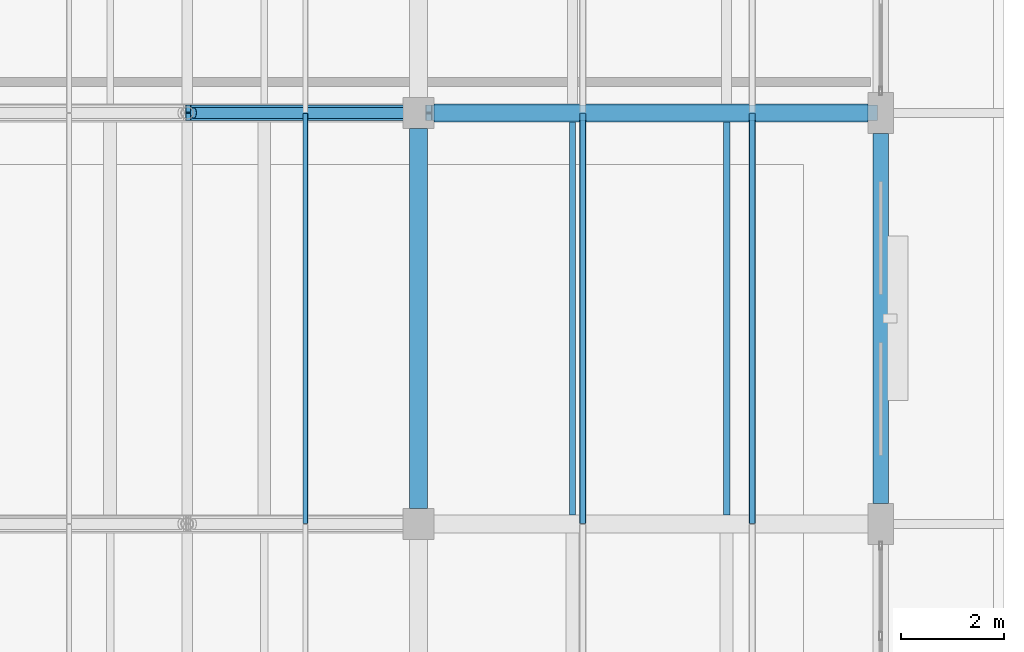
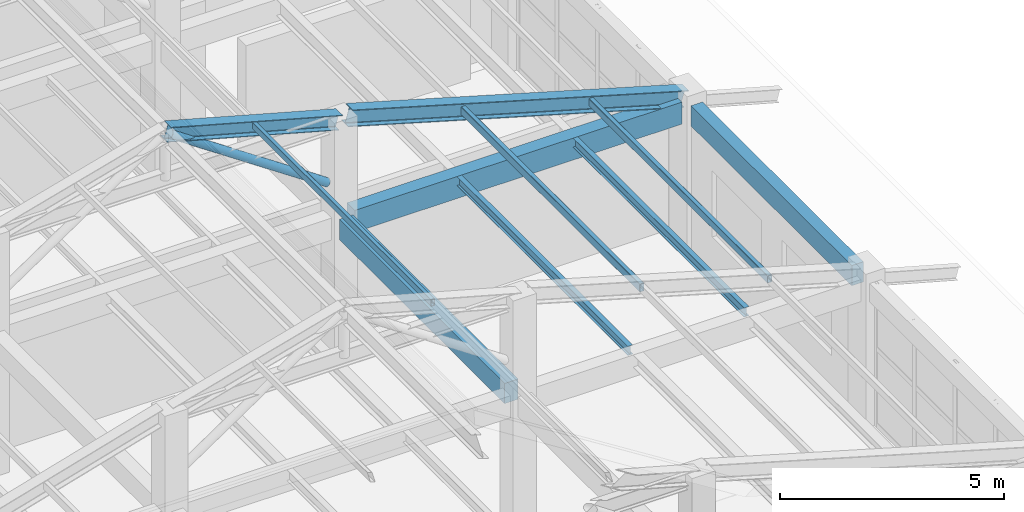
# One storey, part 32 of 58: 7 beams, 4 members.
"""IFC4 building model written with IfcOpenShell, lengths in metres."""

import ifcopenshell
import ifcopenshell.guid

model = None  # the IFC model being written
_history = None  # IfcOwnerHistory: only IFC2X3 demands one
_inside = {}  # id of a spatial element -> (the spatial element, [elements in it])
_under = {}  # id of a project, library or spatial element -> (it, [spatial elements below it])
_declared = {}  # id of a project -> (the project, [libraries it declares])
_typed = {}  # id of a type object -> (the type object, [elements of that type])
_made_of = {}  # id of a material, layer set ... -> (it, [elements and type objects made of it])


def new_model(schema):
    """Start an empty IFC model of exactly this schema.

    Asked for "IFC4X3", IfcOpenShell would pick the latest addendum, in which some entities
    have other attributes; the version numbers below select the first issue.
    IFC2X3 requires an IfcOwnerHistory on every rooted entity: one is made here for all.
    """
    global model, _history
    if schema == "IFC4X3":
        model = ifcopenshell.file(schema_version=(4, 3, 0, 0))
    else:
        model = ifcopenshell.file(schema=schema)
    _inside.clear()
    _under.clear()
    _declared.clear()
    _typed.clear()
    _made_of.clear()
    _history = None
    if model.schema == "IFC2X3":
        org = make("IfcOrganization", Name="unknown")
        user = make(
            "IfcPersonAndOrganization",
            ThePerson=make("IfcPerson", FamilyName="unknown"),
            TheOrganization=org,
        )
        app = make(
            "IfcApplication",
            ApplicationDeveloper=org,
            Version="unknown",
            ApplicationFullName="unknown",
            ApplicationIdentifier="unknown",
        )
        _history = make(
            "IfcOwnerHistory",
            OwningUser=user,
            OwningApplication=app,
            ChangeAction="ADDED",
            CreationDate=0,
        )
    return model


def make(cls, **values):
    """One entity of the class cls with the attributes given. An attribute that is None is left unset."""
    return model.create_entity(
        cls, **{name: value for name, value in values.items() if value is not None}
    )


def rooted(cls, **values):
    """An entity with a GlobalId (a new one), such as an element, a storey or a relation."""
    return make(cls, GlobalId=ifcopenshell.guid.new(), OwnerHistory=_history, **values)


def si_unit(unit_type, name, prefix=None):
    """IfcSIUnit, for example si_unit("LENGTHUNIT", "METRE", prefix="MILLI")."""
    return make("IfcSIUnit", UnitType=unit_type, Prefix=prefix, Name=name)


def derived_unit(unit_type, elements):
    """IfcDerivedUnit: a product of units, each with its exponent."""
    return make(
        "IfcDerivedUnit",
        Elements=[
            make("IfcDerivedUnitElement", Unit=unit, Exponent=power)
            for unit, power in elements
        ],
        UnitType=unit_type,
    )


def assignment(units):
    """IfcUnitAssignment: the units of a project."""
    return None if units is None else make("IfcUnitAssignment", Units=units)


def point(xyz):
    """IfcCartesianPoint."""
    return None if xyz is None else make("IfcCartesianPoint", Coordinates=xyz)


def direction(xyz):
    """IfcDirection."""
    return None if xyz is None else make("IfcDirection", DirectionRatios=xyz)


def frame(location, z_axis=None, x_axis=None):
    """IfcAxis2Placement3D, a coordinate frame: its origin and axes. An axis left out is left unset."""
    return make(
        "IfcAxis2Placement3D",
        Location=point(location),
        Axis=direction(z_axis),
        RefDirection=direction(x_axis),
    )


def frame_2d(location, x_axis=None):
    """IfcAxis2Placement2D, a coordinate frame in the plane: its origin and x axis."""
    return make(
        "IfcAxis2Placement2D", Location=point(location), RefDirection=direction(x_axis)
    )


def origin():
    """The frame at (0, 0, 0) with its axes left unset."""
    return frame((0.0, 0.0, 0.0))


def origin_2d():
    """The frame at (0, 0) in the plane with its x axis left unset."""
    return frame_2d((0.0, 0.0))


def place(relative_to, where):
    """IfcLocalPlacement: puts the frame where relative to a parent placement (None: the world)."""
    return make(
        "IfcLocalPlacement", PlacementRelTo=relative_to, RelativePlacement=where
    )


def context(
    kind, dimensions, precision=None, world=None, true_north=None, identifier=None
):
    """IfcGeometricRepresentationContext, for example the 3D "Model" context."""
    return make(
        "IfcGeometricRepresentationContext",
        ContextIdentifier=identifier,
        ContextType=kind,
        CoordinateSpaceDimension=dimensions,
        Precision=precision,
        WorldCoordinateSystem=world,
        TrueNorth=true_north,
    )


def subcontext(parent, identifier, kind, view, scale=None):
    """IfcGeometricRepresentationSubContext, for example "Body" below "Model"."""
    return make(
        "IfcGeometricRepresentationSubContext",
        ContextIdentifier=identifier,
        ContextType=kind,
        ParentContext=parent,
        TargetScale=scale,
        TargetView=view,
    )


def project(units=None, contexts=None):
    """IfcProject with its units and contexts."""
    return rooted(
        "IfcProject",
        Name="project",
        RepresentationContexts=contexts,
        UnitsInContext=assignment(units),
    )


def spatial(cls, under=None, at=None, **own):
    """A site, building, storey or space (cls), placed at a placement, below another one or the project."""
    s = rooted(cls, ObjectPlacement=at, **own)
    if under is not None:
        _under.setdefault(under.id(), (under, []))[1].append(s)
    return s


def profile(cls, at=None, kind="AREA", **sizes):
    """A parametric profile (cls). Its sizes go by their IFC names, for example OverallWidth=200.0."""
    return make(cls, ProfileType=kind, Position=at, **sizes)


def rectangle(**sizes):
    """IfcRectangleProfileDef."""
    return profile("IfcRectangleProfileDef", **sizes)


def hollow_rectangle(**sizes):
    """IfcRectangleHollowProfileDef."""
    return profile("IfcRectangleHollowProfileDef", **sizes)


def hollow_circle(**sizes):
    """IfcCircleHollowProfileDef."""
    return profile("IfcCircleHollowProfileDef", **sizes)


def i_section(**sizes):
    """IfcIShapeProfileDef."""
    return profile("IfcIShapeProfileDef", **sizes)


def extrude(swept, where, along, depth):
    """IfcExtrudedAreaSolid: the profile swept, set in the frame where, extruded along a direction by depth."""
    return make(
        "IfcExtrudedAreaSolid",
        SweptArea=swept,
        Position=where,
        ExtrudedDirection=direction(along),
        Depth=depth,
    )


def shape(context_of_items, identifier, shape_type, items):
    """IfcShapeRepresentation: the items that make up one representation, for example the "Body"."""
    return make(
        "IfcShapeRepresentation",
        ContextOfItems=context_of_items,
        RepresentationIdentifier=identifier,
        RepresentationType=shape_type,
        Items=items,
    )


def material(Name=None, Category=None):
    """IfcMaterial."""
    return make("IfcMaterial", Name=Name, Category=Category)


def material_profile(
    of_material, cross_section, Name=None, Category=None, Priority=None
):
    """IfcMaterialProfile: a cross section and its material."""
    return make(
        "IfcMaterialProfile",
        Name=Name,
        Material=of_material,
        Profile=cross_section,
        Priority=Priority,
        Category=Category,
    )


def profile_set(profiles, Name=None, composite=None):
    """IfcMaterialProfileSet."""
    return make(
        "IfcMaterialProfileSet",
        Name=Name,
        MaterialProfiles=profiles,
        CompositeProfile=composite,
    )


def made_of(thing, what):
    """Note that an element or type object is made of a material, layer set ...; save() writes the relation."""
    if what is not None:
        _made_of.setdefault(what.id(), (what, []))[1].append(thing)
    return thing


def type_object(cls, material=None, **own):
    """A type object (cls), such as IfcWallType, which elements share."""
    return made_of(rooted(cls, **own), material)


def element(
    cls,
    number,
    at=None,
    inside=None,
    cuts=None,
    type_object=None,
    material=None,
    context=None,
    identifier="Body",
    shape_type=None,
    held_by="IfcProductDefinitionShape",
    body=None,
    shapes=None,
    **own,
):
    """One element of the class cls, such as IfcWall. Its Tag is "e" and its number.

    at: its placement. inside: the storey or other place that contains it. cuts: it is an
    opening in that element (IfcRelVoidsElement). A single representation is given by context,
    identifier, shape_type and body (its items); several are given by shapes. held_by: the class
    of the entity that holds the representations. save() writes the other relations.
    """
    e = rooted(cls, Tag="e%d" % number, ObjectPlacement=at, **own)
    if body is not None:
        shapes = [shape(context, identifier, shape_type, body)]
    if shapes is not None:
        e.Representation = make(held_by, Representations=shapes)
    if inside is not None:
        _inside.setdefault(inside.id(), (inside, []))[1].append(e)
    if cuts is not None:
        rooted(
            "IfcRelVoidsElement", RelatingBuildingElement=cuts, RelatedOpeningElement=e
        )
    if type_object is not None:
        _typed.setdefault(type_object.id(), (type_object, []))[1].append(e)
    return made_of(e, material)


def aggregate(whole, parts):
    """IfcRelAggregates: a whole, such as a stair, and the parts it consists of."""
    return rooted("IfcRelAggregates", RelatingObject=whole, RelatedObjects=parts)


def save(model, path):
    """Write the relations noted so far, then the file.

    IfcRelAggregates (storeys below a building ...), IfcRelContainedInSpatialStructure (elements
    in a storey), IfcRelDefinesByType, IfcRelAssociatesMaterial and IfcRelDeclares: one each for
    every whole, place, type object, material and project.
    """
    for whole, parts in _under.values():
        aggregate(whole, parts)
    for where, things in _inside.values():
        rooted(
            "IfcRelContainedInSpatialStructure",
            RelatedElements=things,
            RelatingStructure=where,
        )
    for kind, things in _typed.values():
        rooted("IfcRelDefinesByType", RelatedObjects=things, RelatingType=kind)
    for what, things in _made_of.values():
        rooted("IfcRelAssociatesMaterial", RelatedObjects=things, RelatingMaterial=what)
    for by, libraries in _declared.values():
        rooted("IfcRelDeclares", RelatingContext=by, RelatedDefinitions=libraries)
    model.write(path)


model = new_model("IFC4")

# Units and contexts
model_context = context("Model", 3, precision=1e-05, world=origin(), true_north=direction((0.0, 1.0)))
body_context = subcontext(model_context, "Body", "Model", "MODEL_VIEW")
ifc_project = project(units=[si_unit("LENGTHUNIT", "METRE"), si_unit("AREAUNIT", "SQUARE_METRE"), si_unit("VOLUMEUNIT", "CUBIC_METRE"), si_unit("PLANEANGLEUNIT", "RADIAN"), si_unit("MASSUNIT", "GRAM", prefix="KILO"), derived_unit("THERMALTRANSMITTANCEUNIT", [(si_unit("MASSUNIT", "GRAM", prefix="KILO"), 1), (si_unit("TIMEUNIT", "SECOND"), -3), (si_unit("THERMODYNAMICTEMPERATUREUNIT", "KELVIN"), -1)])], contexts=[model_context])

# Site, building, storey
site_placement = place(None, origin())
site = spatial("IfcSite", under=ifc_project, at=site_placement, CompositionType="ELEMENT")
building_placement = place(site_placement, origin())
building = spatial("IfcBuilding", under=site, at=building_placement, Name="Zhenchuan Archway Interchange", CompositionType="ELEMENT")
storey_placement = place(building_placement, frame((0.0, 0.0, 22.800048828125)))
storey = spatial("IfcBuildingStorey", under=building, at=storey_placement, Name="L05", CompositionType="ELEMENT", Elevation=22.800048828125)

# Beams
ifc_material_1 = material(Name="Concrete C40", Category="concrete")
ifc_material_profile_1 = material_profile(ifc_material_1, rectangle(XDim=0.35009765625, YDim=0.550048828125, at=origin_2d()), Name="RC 350x550")
ifc_profile_set_1 = profile_set([ifc_material_profile_1], Name="Concrete C40")
beam_type_1 = type_object("IfcBeamType", Name="BM_RC_350x550", PredefinedType="BEAM", material=ifc_profile_set_1)
beam_1_placement = place(storey_placement, frame((162.0, 32.300048828125, 3.64501953125), z_axis=(0.0, 1.0, 0.0), x_axis=(-1.0, 0.0, 0.0)))
element("IfcBeam", 1, at=beam_1_placement, inside=storey, type_object=beam_type_1, Name="Beam 19:E-F (L05)", PredefinedType="BEAM", context=body_context, shape_type="SweptSolid", body=[
    extrude(rectangle(XDim=0.35009765625, YDim=0.550048828125, at=origin_2d()), origin(), (0.0, 0.0, 1.0), 7.39990234375),
])
ifc_material_profile_2 = material_profile(ifc_material_1, rectangle(XDim=0.35009765625, YDim=0.60009765625, at=origin_2d()), Name="RC 350x600")
ifc_profile_set_2 = profile_set([ifc_material_profile_2], Name="Concrete C40")
beam_type_2 = type_object("IfcBeamType", Name="BM_RC_350x600", PredefinedType="BEAM", material=ifc_profile_set_2)
beam_2_placement = place(storey_placement, frame((162.300048828125, 40.0, 3.619873046875), z_axis=(1.0, 0.0, 0.0), x_axis=(0.0, 1.0, 0.0)))
element("IfcBeam", 2, at=beam_2_placement, inside=storey, type_object=beam_type_2, Name="Beam F:19-20 (L05)", PredefinedType="BEAM", context=body_context, shape_type="SweptSolid", body=[
    extrude(rectangle(XDim=0.35009765625, YDim=0.60009765625, at=origin_2d()), origin(), (0.0, 0.0, 1.0), 8.449951171875),
])
ifc_material_2 = material(Name="Steel Q355", Category="steel")
ifc_material_profile_3 = material_profile(ifc_material_2, i_section(OverallWidth=0.300048828125, OverallDepth=0.389892578125, WebThickness=0.010009765625, FlangeThickness=0.01611328125, FilletRadius=0.02001953125, at=origin_2d()), Name="HM 390x300")
ifc_profile_set_3 = profile_set([ifc_material_profile_3], Name="Steel Q355")
beam_type_3 = type_object("IfcBeamType", Name="BM_STL_HM390", PredefinedType="BEAM", material=ifc_profile_set_3)
beam_3_placement = place(storey_placement, frame((157.52001953125, 40.0, 7.639892578125), z_axis=(0.964108539649, 0.0, -0.265508425055), x_axis=(0.0, 1.0, 0.0)))
element("IfcBeam", 3, at=beam_3_placement, inside=storey, type_object=beam_type_3, Name="ROOF TRUSS command wing T3 east apex rafter", PredefinedType="BEAM", context=body_context, shape_type="SweptSolid", body=[
    extrude(i_section(OverallWidth=0.300048828125, OverallDepth=0.389892578125, WebThickness=0.010009765625, FlangeThickness=0.01611328125, FilletRadius=0.02001953125, at=origin_2d()), origin(), (0.0, 0.0, 1.0), 4.5947265625),
])
ifc_material_profile_4 = material_profile(ifc_material_2, i_section(OverallWidth=0.300048828125, OverallDepth=0.43994140625, WebThickness=0.010986328125, FlangeThickness=0.01806640625, FilletRadius=0.02197265625, at=origin_2d()), Name="HM 440x300")
ifc_profile_set_4 = profile_set([ifc_material_profile_4], Name="Steel Q355")
beam_type_4 = type_object("IfcBeamType", Name="BM_STL_HM440", PredefinedType="BEAM", material=ifc_profile_set_4)
beam_4_placement = place(storey_placement, frame((162.199951171875, 40.0, 6.449951171875), z_axis=(0.960641143949, 0.0, -0.277792355102), x_axis=(0.0, 1.0, 0.0)))
element("IfcBeam", 4, at=beam_4_placement, inside=storey, type_object=beam_type_4, Name="ROOF TRUSS command wing T3 east lower rafter", PredefinedType="BEAM", context=body_context, shape_type="SweptSolid", body=[
    extrude(i_section(OverallWidth=0.300048828125, OverallDepth=0.43994140625, WebThickness=0.010986328125, FlangeThickness=0.01806640625, FilletRadius=0.02197265625, at=origin_2d()), origin(), (0.0, 0.0, 1.0), 9.03564453125),
])
ifc_material_profile_5 = material_profile(ifc_material_2, i_section(OverallWidth=0.125, OverallDepth=0.25, WebThickness=0.006103515625, FlangeThickness=0.009033203125, FilletRadius=0.011962890625, at=origin_2d()), Name="HN 250x125")
ifc_profile_set_5 = profile_set([ifc_material_profile_5], Name="Steel Q355")
beam_type_5 = type_object("IfcBeamType", Name="JST_STL_HN250", PredefinedType="JOIST", material=ifc_profile_set_5)
for number, where, z_axis, x_axis, name in (
    (5, (165.0, 32.175048828125, 3.794921875), (0.0, 1.0, 0.0), (-1.0, 0.0, 0.0), "Secondary joist 19-20/E-F #1 (L05)"),
    (6, (168.0, 32.175048828125, 3.794921875), (0.0, 1.0, 0.0), (-1.0, 0.0, 0.0), "Secondary joist 19-20/E-F #2 (L05)"),
):
    element("IfcBeam", number, at=place(storey_placement, frame(where, z_axis=z_axis, x_axis=x_axis)), inside=storey, type_object=beam_type_5, Name=name, PredefinedType="JOIST", context=body_context, shape_type="SweptSolid", body=[
        extrude(i_section(OverallWidth=0.125, OverallDepth=0.25, WebThickness=0.006103515625, FlangeThickness=0.009033203125, FilletRadius=0.011962890625, at=origin_2d()), origin(), (0.0, 0.0, 1.0), 7.64990234375),
    ])

# Members
ifc_material_profile_6 = material_profile(ifc_material_2, hollow_circle(Radius=0.109619140625, WallThickness=0.008056640625, at=origin_2d()), Name="CHS 219x8")
ifc_profile_set_6 = profile_set([ifc_material_profile_6], Name="Steel Q355")
member_type_1 = type_object("IfcMemberType", Name="MB_CHS219", PredefinedType="BRACE", material=ifc_profile_set_6)
member_1_placement = place(storey_placement, frame((161.679931640625, 40.0, 4.800048828125), z_axis=(-0.827937334182, 0.0, 0.560820622541), x_axis=(0.0, -1.0, 0.0)))
element("IfcMember", 7, at=member_1_placement, inside=storey, type_object=member_type_1, Name="ROOF TRUSS command wing T3 east apex diagonal", PredefinedType="BRACE", context=body_context, shape_type="SweptSolid", body=[
    extrude(hollow_circle(Radius=0.109619140625, WallThickness=0.008056640625, at=origin_2d()), origin(), (0.0, 0.0, 1.0), 4.903564453125),
])
ifc_material_profile_7 = material_profile(ifc_material_2, hollow_rectangle(XDim=0.10009765625, YDim=0.179931640625, WallThickness=0.006103515625, InnerFilletRadius=0.006103515625, OuterFilletRadius=0.011962890625, at=origin_2d()), Name="RHS 180x100x6")
ifc_profile_set_7 = profile_set([ifc_material_profile_7], Name="Steel Q355")
member_type_2 = type_object("IfcMemberType", Name="MB_RHS180", PredefinedType="PURLIN", material=ifc_profile_set_7)
member_2_placement = place(storey_placement, frame((159.800048828125, 32.008056640625, 7.02001953125), z_axis=(0.0, 1.0, 0.0), x_axis=(-1.0, 0.0, 0.0)))
element("IfcMember", 8, at=member_2_placement, inside=storey, type_object=member_type_2, Name="Command wing roof purlin B2-P4", PredefinedType="PURLIN", context=body_context, shape_type="SweptSolid", body=[
    extrude(hollow_rectangle(XDim=0.10009765625, YDim=0.179931640625, WallThickness=0.006103515625, InnerFilletRadius=0.006103515625, OuterFilletRadius=0.011962890625, at=origin_2d()), origin(), (0.0, 0.0, 1.0), 7.98388671875),
])
ifc_material_profile_8 = material_profile(ifc_material_2, hollow_rectangle(XDim=0.1201171875, YDim=0.199951171875, WallThickness=0.008056640625, InnerFilletRadius=0.008056640625, OuterFilletRadius=0.01611328125, at=origin_2d()), Name="RHS 200x120x8")
ifc_profile_set_8 = profile_set([ifc_material_profile_8], Name="Steel Q355")
member_type_3 = type_object("IfcMemberType", Name="MB_RHS200", PredefinedType="PURLIN", material=ifc_profile_set_8)
member_3_placement = place(storey_placement, frame((168.5, 32.008056640625, 4.619873046875), z_axis=(0.0, 1.0, 0.0), x_axis=(-1.0, 0.0, 0.0)))
element("IfcMember", 9, at=member_3_placement, inside=storey, type_object=member_type_3, Name="Command wing roof purlin B2-P6", PredefinedType="PURLIN", context=body_context, shape_type="SweptSolid", body=[
    extrude(hollow_rectangle(XDim=0.1201171875, YDim=0.199951171875, WallThickness=0.008056640625, InnerFilletRadius=0.008056640625, OuterFilletRadius=0.01611328125, at=origin_2d()), origin(), (0.0, 0.0, 1.0), 7.98388671875),
])
ifc_material_profile_9 = material_profile(ifc_material_2, hollow_rectangle(XDim=0.1201171875, YDim=0.219970703125, WallThickness=0.008056640625, InnerFilletRadius=0.008056640625, OuterFilletRadius=0.01611328125, at=origin_2d()), Name="RHS 220x120x8")
ifc_profile_set_9 = profile_set([ifc_material_profile_9], Name="Steel Q355")
member_type_4 = type_object("IfcMemberType", Name="MB_RHS220", PredefinedType="PURLIN", material=ifc_profile_set_9)
member_4_placement = place(storey_placement, frame((165.199951171875, 32.008056640625, 5.5400390625), z_axis=(0.0, 1.0, 0.0), x_axis=(-1.0, 0.0, 0.0)))
element("IfcMember", 10, at=member_4_placement, inside=storey, type_object=member_type_4, Name="Command wing roof purlin B2-P5", PredefinedType="PURLIN", context=body_context, shape_type="SweptSolid", body=[
    extrude(hollow_rectangle(XDim=0.1201171875, YDim=0.219970703125, WallThickness=0.008056640625, InnerFilletRadius=0.008056640625, OuterFilletRadius=0.01611328125, at=origin_2d()), origin(), (0.0, 0.0, 1.0), 7.98388671875),
])

# Beam
ifc_material_profile_10 = material_profile(ifc_material_1, rectangle(XDim=0.300048828125, YDim=0.550048828125, at=origin_2d()), Name="RC 300x550")
ifc_profile_set_10 = profile_set([ifc_material_profile_10], Name="Concrete C40")
beam_type_6 = type_object("IfcBeamType", Name="SP_RC_300x550", PredefinedType="SPANDREL", material=ifc_profile_set_10)
beam_5_placement = place(storey_placement, frame((171.0, 32.39990234375, 3.64501953125), z_axis=(0.0, 1.0, 0.0), x_axis=(-1.0, 0.0, 0.0)))
element("IfcBeam", 11, at=beam_5_placement, inside=storey, type_object=beam_type_6, Name="Beam 20:E-F (L05)", PredefinedType="SPANDREL", context=body_context, shape_type="SweptSolid", body=[
    extrude(rectangle(XDim=0.300048828125, YDim=0.550048828125, at=origin_2d()), origin(), (0.0, 0.0, 1.0), 7.2001953125),
])

save(model, "model.ifc")
